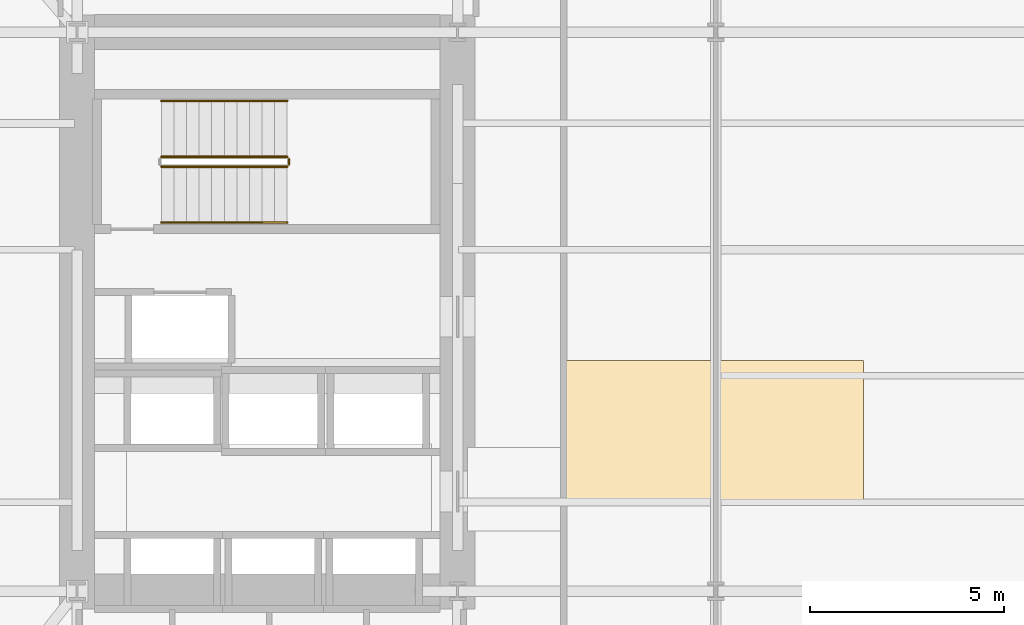
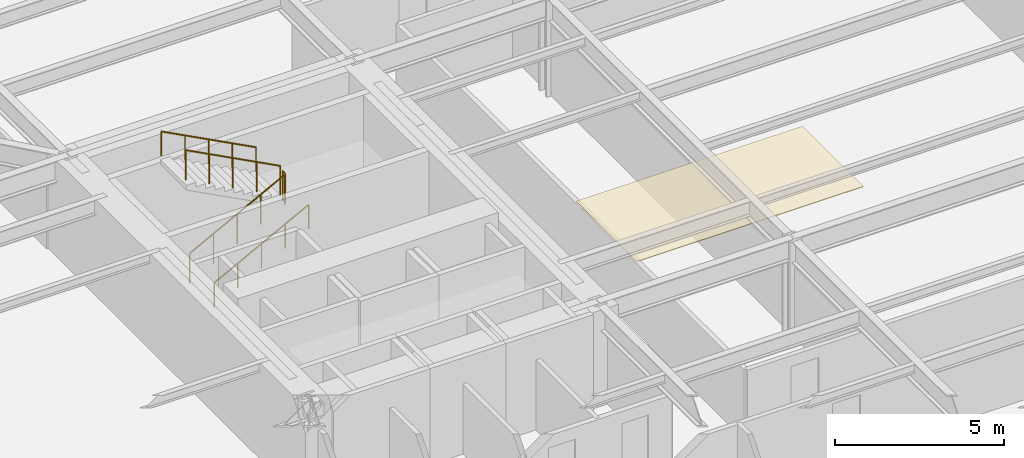
# One storey, part 10 of 15: 5 railings, 1 covering.
"""IFC4 building model written with IfcOpenShell, lengths in metres."""

from ifc_helpers import new_model, si_unit, direction, frame, origin, origin_2d, place, context, subcontext, project, spatial, polyline, circle, outline, extrude, material, layer, layer_set, type_object, element, save


model = new_model("IFC4")

# Units and contexts
model_context = context("Model", 3, precision=1e-05, world=origin(), true_north=direction((0.0, 1.0)))
body_context = subcontext(model_context, "Body", "Model", "MODEL_VIEW")
ifc_project = project(units=[si_unit("LENGTHUNIT", "METRE"), si_unit("AREAUNIT", "SQUARE_METRE"), si_unit("VOLUMEUNIT", "CUBIC_METRE"), si_unit("PLANEANGLEUNIT", "RADIAN"), si_unit("MASSUNIT", "GRAM", prefix="KILO")], contexts=[model_context])

# Site, building, storey
site_placement = place(None, origin())
site = spatial("IfcSite", under=ifc_project, at=site_placement, CompositionType="ELEMENT")
building_placement = place(site_placement, origin())
building = spatial("IfcBuilding", under=site, at=building_placement, Name="Kolvaren Arena Tower", CompositionType="ELEMENT")
storey_placement = place(building_placement, frame((0.0, 0.0, 64.5)))
storey = spatial("IfcBuildingStorey", under=building, at=storey_placement, Name="L13", CompositionType="ELEMENT", Elevation=64.5)

# Covering
ifc_material_1 = material(Name="Mineral fibre acoustic ceiling tile", Category="gypsum")
ifc_layer = layer(ifc_material_1, 0.02490234375)
ifc_layer_set = layer_set([ifc_layer], Name="Mineral fibre acoustic ceiling tile")
covering_type = type_object("IfcCoveringType", Name="CEIL-ACT-1", PredefinedType="CEILING", material=ifc_layer_set)
covering_placement = place(storey_placement, frame((0.0, 0.0, 2.52001953125)))
element("IfcCovering", 1, at=covering_placement, inside=storey, type_object=covering_type, Name="Suspended Ceiling (L13)", PredefinedType="CEILING", context=body_context, shape_type="SweptSolid", body=[
    extrude(outline(polyline([(27.050048828125, 21.800048828125), (27.050048828125, 25.39990234375), (34.800048828125, 25.39990234375), (34.800048828125, 21.800048828125), (27.050048828125, 21.800048828125)])), origin(), (0.0, 0.0, 1.0), 0.02490234375),
])

# Railings
ifc_material_2 = material(Name="Painted galvanized steel", Category="steel")
railing_type_1 = type_object("IfcRailingType", Name="GUARD-ST-110", PredefinedType="GUARDRAIL", material=ifc_material_2)
railing_1_placement = place(storey_placement, frame((16.719970703125, 30.389892578125, 0.17041015625)))
element("IfcRailing", 2, at=railing_1_placement, inside=storey, type_object=railing_type_1, Name="L13 ST-W1 stair guard 1", PredefinedType="GUARDRAIL", context=body_context, shape_type="SweptSolid", body=[
    extrude(circle(Radius=0.02392578125, at=origin_2d()), frame((0.0, 0.0, 1.076171875), z_axis=(0.884993431791, 0.0, 0.465603506952), x_axis=(0.0, 1.0, 0.0)), (0.0, 0.0, 1.0), 3.6611328125),
    extrude(circle(Radius=0.02099609375, at=origin_2d()), origin(), (0.0, 0.0, 1.0), 1.052001953125),
    extrude(circle(Radius=0.02099609375, at=origin_2d()), frame((0.81005859375, 0.0, 0.42626953125)), (0.0, 0.0, 1.0), 1.052001953125),
    extrude(circle(Radius=0.02099609375, at=origin_2d()), frame((1.6201171875, 0.0, 0.852294921875)), (0.0, 0.0, 1.0), 1.052001953125),
    extrude(circle(Radius=0.02099609375, at=origin_2d()), frame((2.429931640625, 0.0, 1.2783203125)), (0.0, 0.0, 1.0), 1.052001953125),
    extrude(circle(Radius=0.02099609375, at=origin_2d()), frame((3.239990234375, 0.0, 1.70458984375)), (0.0, 0.0, 1.0), 1.052001953125),
])
railing_2_placement = place(storey_placement, frame((20.010009765625, 30.43994140625, 1.875)))
element("IfcRailing", 3, at=railing_2_placement, inside=storey, type_object=railing_type_1, Name="L13 ST-W1 stair guard 2", PredefinedType="GUARDRAIL", context=body_context, shape_type="SweptSolid", body=[
    extrude(circle(Radius=0.02392578125, at=origin_2d()), frame((0.0, 0.0, 1.076171875), z_axis=(0.0, 1.0, 0.0), x_axis=(-1.0, 0.0, 0.0)), (0.0, 0.0, 1.0), 0.150146484375),
    extrude(circle(Radius=0.02099609375, at=origin_2d()), origin(), (0.0, 0.0, 1.0), 1.052001953125),
    extrude(circle(Radius=0.02099609375, at=origin_2d()), frame((0.0, 0.150146484375, 0.0)), (0.0, 0.0, 1.0), 1.052001953125),
])
railing_3_placement = place(storey_placement, frame((19.9599609375, 30.639892578125, 2.04541015625)))
element("IfcRailing", 4, at=railing_3_placement, inside=storey, type_object=railing_type_1, Name="L13 ST-W1 stair guard 3", PredefinedType="GUARDRAIL", context=body_context, shape_type="SweptSolid", body=[
    extrude(circle(Radius=0.02392578125, at=origin_2d()), frame((0.0, 0.0, 1.076171875), z_axis=(-0.884993431791, 0.0, 0.465603506952), x_axis=(0.0, -1.0, 0.0)), (0.0, 0.0, 1.0), 3.6611328125),
    extrude(circle(Radius=0.02099609375, at=origin_2d()), origin(), (0.0, 0.0, 1.0), 1.052001953125),
    extrude(circle(Radius=0.02099609375, at=origin_2d()), frame((-0.81005859375, 0.0, 0.42626953125)), (0.0, 0.0, 1.0), 1.052001953125),
    extrude(circle(Radius=0.02099609375, at=origin_2d()), frame((-1.6201171875, 0.0, 0.852294921875)), (0.0, 0.0, 1.0), 1.052001953125),
    extrude(circle(Radius=0.02099609375, at=origin_2d()), frame((-2.429931640625, 0.0, 1.2783203125)), (0.0, 0.0, 1.0), 1.052001953125),
    extrude(circle(Radius=0.02099609375, at=origin_2d()), frame((-3.239990234375, 0.0, 1.70458984375)), (0.0, 0.0, 1.0), 1.052001953125),
])
ifc_material_3 = material(Name="Brushed stainless steel handrail", Category="steel")
railing_type_2 = type_object("IfcRailingType", Name="HRAIL-900", PredefinedType="HANDRAIL", material=ifc_material_3)
railing_4_placement = place(storey_placement, frame((16.719970703125, 28.949951171875, 0.17041015625)))
element("IfcRailing", 5, at=railing_4_placement, inside=storey, type_object=railing_type_2, Name="L13 ST-W1 stair handrail 1", PredefinedType="HANDRAIL", context=body_context, shape_type="SweptSolid", body=[
    extrude(circle(Radius=0.02392578125, at=origin_2d()), frame((0.0, 0.0, 0.8759765625), z_axis=(0.884993431791, 0.0, 0.465603506952), x_axis=(0.0, 1.0, 0.0)), (0.0, 0.0, 1.0), 3.6611328125),
    extrude(circle(Radius=0.02099609375, at=origin_2d()), origin(), (0.0, 0.0, 1.0), 0.851806640625),
    extrude(circle(Radius=0.02099609375, at=origin_2d()), frame((0.81005859375, 0.0, 0.42626953125)), (0.0, 0.0, 1.0), 0.851806640625),
    extrude(circle(Radius=0.02099609375, at=origin_2d()), frame((1.6201171875, 0.0, 0.852294921875)), (0.0, 0.0, 1.0), 0.851806640625),
    extrude(circle(Radius=0.02099609375, at=origin_2d()), frame((2.429931640625, 0.0, 1.2783203125)), (0.0, 0.0, 1.0), 0.851806640625),
    extrude(circle(Radius=0.02099609375, at=origin_2d()), frame((3.239990234375, 0.0, 1.70458984375)), (0.0, 0.0, 1.0), 0.851806640625),
])
railing_5_placement = place(storey_placement, frame((19.9599609375, 32.080078125, 2.04541015625)))
element("IfcRailing", 6, at=railing_5_placement, inside=storey, type_object=railing_type_2, Name="L13 ST-W1 stair handrail 2", PredefinedType="HANDRAIL", context=body_context, shape_type="SweptSolid", body=[
    extrude(circle(Radius=0.02392578125, at=origin_2d()), frame((0.0, 0.0, 0.8759765625), z_axis=(-0.884993431791, 0.0, 0.465603506952), x_axis=(0.0, -1.0, 0.0)), (0.0, 0.0, 1.0), 3.6611328125),
    extrude(circle(Radius=0.02099609375, at=origin_2d()), origin(), (0.0, 0.0, 1.0), 0.851806640625),
    extrude(circle(Radius=0.02099609375, at=origin_2d()), frame((-0.81005859375, 0.0, 0.42626953125)), (0.0, 0.0, 1.0), 0.851806640625),
    extrude(circle(Radius=0.02099609375, at=origin_2d()), frame((-1.6201171875, 0.0, 0.852294921875)), (0.0, 0.0, 1.0), 0.851806640625),
    extrude(circle(Radius=0.02099609375, at=origin_2d()), frame((-2.429931640625, 0.0, 1.2783203125)), (0.0, 0.0, 1.0), 0.851806640625),
    extrude(circle(Radius=0.02099609375, at=origin_2d()), frame((-3.239990234375, 0.0, 1.70458984375)), (0.0, 0.0, 1.0), 0.851806640625),
])

save(model, "model.ifc")
